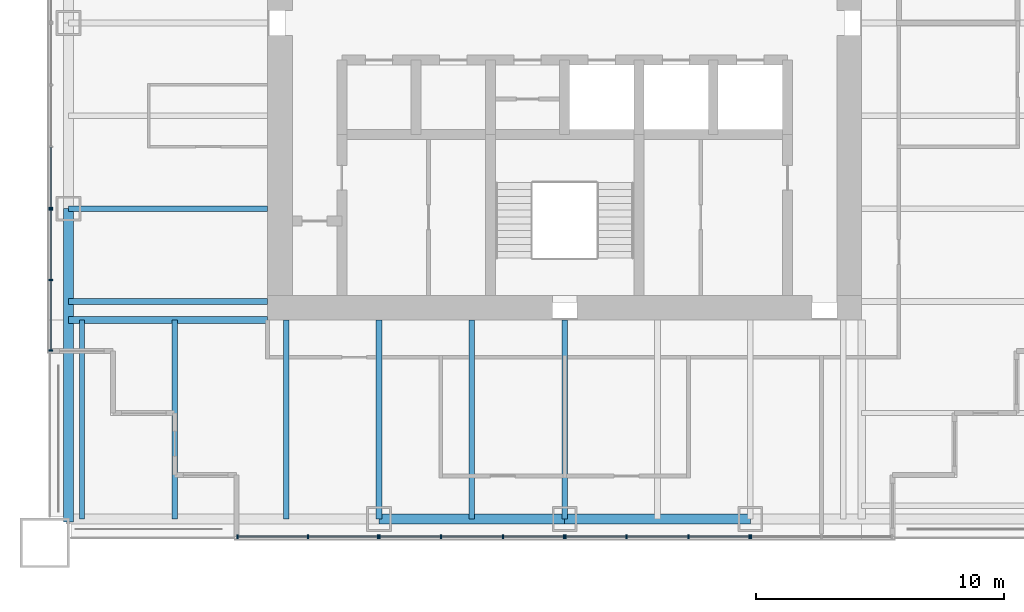
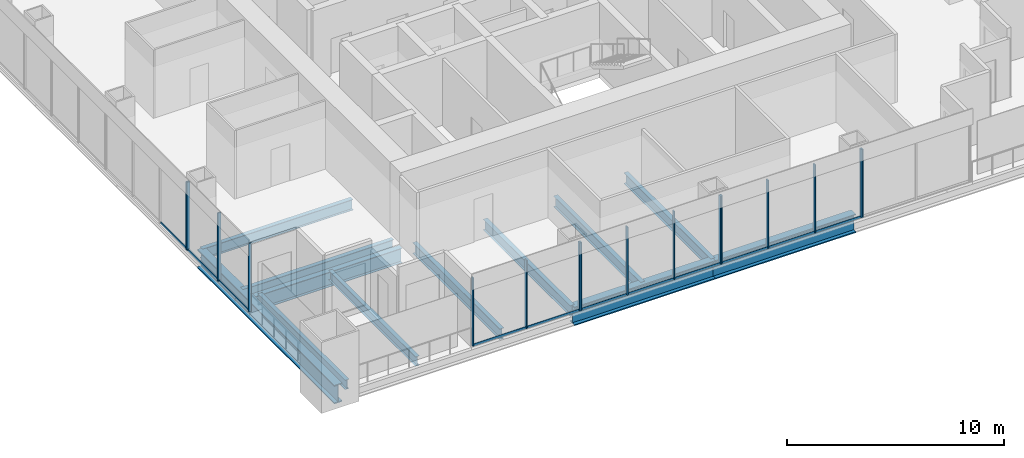
# One storey, part 2 of 14: 27 members, 12 beams, 6 elements without a shape of their own.
"""IFC4 building model written with IfcOpenShell, lengths in metres."""

from ifc_helpers import new_model, si_unit, direction, frame, origin, origin_2d, place, context, subcontext, project, spatial, rectangle, i_section, extrude, material, material_profile, profile_set, type_object, element, aggregate, save


model = new_model("IFC4")

# Units and contexts
model_context = context("Model", 3, precision=1e-05, world=origin(), true_north=direction((0.0, 1.0)))
body_context = subcontext(model_context, "Body", "Model", "MODEL_VIEW")
ifc_project = project(units=[si_unit("LENGTHUNIT", "METRE"), si_unit("AREAUNIT", "SQUARE_METRE"), si_unit("VOLUMEUNIT", "CUBIC_METRE"), si_unit("PLANEANGLEUNIT", "RADIAN"), si_unit("MASSUNIT", "GRAM", prefix="KILO")], contexts=[model_context])

# Site, building, storey
site_placement = place(None, origin())
site = spatial("IfcSite", under=ifc_project, at=site_placement, CompositionType="ELEMENT")
building_placement = place(site_placement, origin())
building = spatial("IfcBuilding", under=site, at=building_placement, Name="Tarangal Relay Tower", CompositionType="ELEMENT")
storey_placement = place(building_placement, frame((0.0, 0.0, 291.89990234375)))
storey = spatial("IfcBuildingStorey", under=building, at=storey_placement, Name="L64", CompositionType="ELEMENT", Elevation=291.89990234375)

# Beams
ifc_material_1 = material(Name="Steel ASTM A992", Category="steel")
ifc_material_profile_1 = material_profile(ifc_material_1, i_section(OverallWidth=0.209228515625, OverallDepth=0.533447265625, WebThickness=0.01025390625, FlangeThickness=0.015625, at=origin_2d()), Name="W21X62")
ifc_profile_set_1 = profile_set([ifc_material_profile_1], Name="Steel ASTM A992")
beam_type_1 = type_object("IfcBeamType", Name="Corner beam W21X62", PredefinedType="JOIST", material=ifc_profile_set_1)
for number, where, z_axis, x_axis, name in (
    (1, (-15.75, -12.0, -0.41650390625), (0.0, -1.0, 0.0), (1.0, 0.0, 0.0), "Corner beam CB12 S L64"),
    (2, (-19.5, -12.0, -0.41650390625), (0.0, -1.0, 0.0), (1.0, 0.0, 0.0), "Corner beam CB12 S L64"),
):
    element("IfcBeam", number, at=place(storey_placement, frame(where, z_axis=z_axis, x_axis=x_axis)), inside=storey, type_object=beam_type_1, Name=name, PredefinedType="JOIST", context=body_context, shape_type="SweptSolid", body=[
        extrude(i_section(OverallWidth=0.209228515625, OverallDepth=0.533447265625, WebThickness=0.01025390625, FlangeThickness=0.015625, at=origin_2d()), origin(), (0.0, 0.0, 1.0), 8.0400390625),
    ])
ifc_material_profile_2 = material_profile(ifc_material_1, i_section(OverallWidth=0.2919921875, OverallDepth=0.8408203125, WebThickness=0.0146484375, FlangeThickness=0.021728515625, at=origin_2d()), Name="W33X130")
ifc_profile_set_2 = profile_set([ifc_material_profile_2], Name="Steel ASTM A992")
beam_type_2 = type_object("IfcBeamType", Name="Corner girder W33X130", PredefinedType="BEAM", material=ifc_profile_set_2)
beam_1_placement = place(storey_placement, frame((-12.0, -12.0, -0.5703125), z_axis=(-1.0, 0.0, 0.0), x_axis=(0.0, -1.0, 0.0)))
element("IfcBeam", 3, at=beam_1_placement, inside=storey, type_object=beam_type_2, Name="Corner girder CG5 S L64", PredefinedType="BEAM", context=body_context, shape_type="SweptSolid", body=[
    extrude(i_section(OverallWidth=0.2919921875, OverallDepth=0.8408203125, WebThickness=0.0146484375, FlangeThickness=0.021728515625, at=origin_2d()), origin(), (0.0, 0.0, 1.0), 8.0400390625),
])
ifc_material_profile_3 = material_profile(ifc_material_1, i_section(OverallWidth=0.41162109375, OverallDepth=1.049072265625, WebThickness=0.033935546875, FlangeThickness=0.059814453125, at=origin_2d()), Name="W40X431")
ifc_profile_set_3 = profile_set([ifc_material_profile_3], Name="Steel ASTM A992")
beam_type_3 = type_object("IfcBeamType", Name="Edge girder W40X431", PredefinedType="SPANDREL", material=ifc_profile_set_3)
for number, where, z_axis, x_axis, name in (
    (4, (7.5, -20.0400390625, -0.67431640625), (-1.0, 0.0, 0.0), (0.0, -1.0, 0.0), "Edge girder EG1 S L64"),
    (5, (0.0, -20.0400390625, -0.67431640625), (-1.0, 0.0, 0.0), (0.0, -1.0, 0.0), "Edge girder EG1 S L64"),
):
    element("IfcBeam", number, at=place(storey_placement, frame(where, z_axis=z_axis, x_axis=x_axis)), inside=storey, type_object=beam_type_3, Name=name, PredefinedType="SPANDREL", context=body_context, shape_type="SweptSolid", body=[
        extrude(i_section(OverallWidth=0.41162109375, OverallDepth=1.049072265625, WebThickness=0.033935546875, FlangeThickness=0.059814453125, at=origin_2d()), origin(), (0.0, 0.0, 1.0), 7.5),
    ])
beam_2_placement = place(storey_placement, frame((-20.0400390625, -20.14990234375, -0.67431640625), z_axis=(0.0, 1.0, 0.0), x_axis=(-1.0, 0.0, 0.0)))
element("IfcBeam", 6, at=beam_2_placement, inside=storey, type_object=beam_type_3, Name="Edge girder EG1 W L64", PredefinedType="SPANDREL", context=body_context, shape_type="SweptSolid", body=[
    extrude(i_section(OverallWidth=0.41162109375, OverallDepth=1.049072265625, WebThickness=0.033935546875, FlangeThickness=0.059814453125, at=origin_2d()), origin(), (0.0, 0.0, 1.0), 12.64990234375),
])
ifc_material_profile_4 = material_profile(ifc_material_1, i_section(OverallWidth=0.228271484375, OverallDepth=0.607177734375, WebThickness=0.01123046875, FlangeThickness=0.017333984375, at=origin_2d()), Name="W24X76")
ifc_profile_set_4 = profile_set([ifc_material_profile_4], Name="Steel ASTM A992")
beam_type_4 = type_object("IfcBeamType", Name="Floor beam W24X76", PredefinedType="BEAM", material=ifc_profile_set_4)
for number, where, z_axis, x_axis, name in (
    (7, (0.0, -12.0, -0.453369140625), (0.0, -1.0, 0.0), (1.0, 0.0, 0.0), "Floor beam RB5 S L64"),
    (8, (-3.75, -12.0, -0.453369140625), (0.0, -1.0, 0.0), (1.0, 0.0, 0.0), "Floor beam RB5 S L64"),
    (9, (-7.5, -12.0, -0.453369140625), (0.0, -1.0, 0.0), (1.0, 0.0, 0.0), "Floor beam RB5 S L64"),
    (10, (-11.25, -12.0, -0.453369140625), (0.0, -1.0, 0.0), (1.0, 0.0, 0.0), "Floor beam RB5 S L64"),
    (11, (-12.0, -11.25, -0.453369140625), (-1.0, 0.0, 0.0), (0.0, -1.0, 0.0), "Floor beam RB5 W L64"),
    (12, (-12.0, -7.5, -0.453369140625), (-1.0, 0.0, 0.0), (0.0, -1.0, 0.0), "Floor beam RB5 W L64"),
):
    element("IfcBeam", number, at=place(storey_placement, frame(where, z_axis=z_axis, x_axis=x_axis)), inside=storey, type_object=beam_type_4, Name=name, PredefinedType="BEAM", context=body_context, shape_type="SweptSolid", body=[
        extrude(i_section(OverallWidth=0.228271484375, OverallDepth=0.607177734375, WebThickness=0.01123046875, FlangeThickness=0.017333984375, at=origin_2d()), origin(), (0.0, 0.0, 1.0), 8.0400390625),
    ])

# Curtain wall, member
ifc_material_2 = material(Name="Unitised curtain wall, dark glass and black aluminium", Category="aluminium")
curtain_wall_type = type_object("IfcCurtainWallType", Name="Curtain wall CW-B", PredefinedType="USERDEFINED", material=ifc_material_2)
curtain_wall_1_placement = place(storey_placement, origin())
curtain_wall_1 = element("IfcCurtainWall", 13, at=curtain_wall_1_placement, inside=storey, type_object=curtain_wall_type, Name="Curtain wall CW-B S facade L64", ObjectType="UNITISED CURTAIN WALL", PredefinedType="USERDEFINED")
ifc_material_3 = material(Name="Black anodised aluminium mullion", Category="aluminium")
ifc_material_profile_5 = material_profile(ifc_material_3, rectangle(XDim=0.159912109375, YDim=0.06005859375, at=origin_2d()), Name="CW-BM 60X160")
ifc_profile_set_5 = profile_set([ifc_material_profile_5], Name="Black anodised aluminium mullion")
member_type_1 = type_object("IfcMemberType", Name="Mullion CW-B 60 x 160", PredefinedType="MULLION", material=ifc_profile_set_5)
member_1_placement = place(storey_placement, frame((7.530029296875, -20.75, 0.0), z_axis=(0.0, 0.0, 1.0), x_axis=(0.0, -1.0, 0.0)))
member_1 = element("IfcMember", 14, at=member_1_placement, type_object=member_type_1, Name="CW-B mullion 3", PredefinedType="MULLION", context=body_context, shape_type="SweptSolid", body=[
    extrude(rectangle(XDim=0.159912109375, YDim=0.06005859375, at=origin_2d()), origin(), (0.0, 0.0, 1.0), 3.85009765625),
])
aggregate(curtain_wall_1, [member_1])

# Curtain wall, members
curtain_wall_2_placement = place(storey_placement, origin())
curtain_wall_2 = element("IfcCurtainWall", 15, at=curtain_wall_2_placement, inside=storey, type_object=curtain_wall_type, Name="Curtain wall CW-B S facade L64", ObjectType="UNITISED CURTAIN WALL", PredefinedType="USERDEFINED")
member_2_placement = place(storey_placement, frame((7.469970703125, -20.75, 0.0), z_axis=(0.0, 0.0, 1.0), x_axis=(0.0, -1.0, 0.0)))
member_2 = element("IfcMember", 16, at=member_2_placement, type_object=member_type_1, Name="CW-B mullion 1", PredefinedType="MULLION", context=body_context, shape_type="SweptSolid", body=[
    extrude(rectangle(XDim=0.159912109375, YDim=0.06005859375, at=origin_2d()), origin(), (0.0, 0.0, 1.0), 3.85009765625),
])
member_3_placement = place(storey_placement, frame((5.0, -20.75, 0.0), z_axis=(0.0, 0.0, 1.0), x_axis=(0.0, -1.0, 0.0)))
member_3 = element("IfcMember", 17, at=member_3_placement, type_object=member_type_1, Name="CW-B mullion 2", PredefinedType="MULLION", context=body_context, shape_type="SweptSolid", body=[
    extrude(rectangle(XDim=0.159912109375, YDim=0.06005859375, at=origin_2d()), origin(), (0.0, 0.0, 1.0), 3.85009765625),
])
member_4_placement = place(storey_placement, frame((2.5, -20.75, 0.0), z_axis=(0.0, 0.0, 1.0), x_axis=(0.0, -1.0, 0.0)))
member_4 = element("IfcMember", 18, at=member_4_placement, type_object=member_type_1, Name="CW-B mullion 3", PredefinedType="MULLION", context=body_context, shape_type="SweptSolid", body=[
    extrude(rectangle(XDim=0.159912109375, YDim=0.06005859375, at=origin_2d()), origin(), (0.0, 0.0, 1.0), 3.85009765625),
])
member_5_placement = place(storey_placement, frame((0.030029296875, -20.75, 0.0), z_axis=(0.0, 0.0, 1.0), x_axis=(0.0, -1.0, 0.0)))
member_5 = element("IfcMember", 19, at=member_5_placement, type_object=member_type_1, Name="CW-B mullion 4", PredefinedType="MULLION", context=body_context, shape_type="SweptSolid", body=[
    extrude(rectangle(XDim=0.159912109375, YDim=0.06005859375, at=origin_2d()), origin(), (0.0, 0.0, 1.0), 3.85009765625),
])

curtain_wall_3_placement = place(storey_placement, origin())
curtain_wall_3 = element("IfcCurtainWall", 20, at=curtain_wall_3_placement, inside=storey, type_object=curtain_wall_type, Name="Curtain wall CW-B S facade L64", ObjectType="UNITISED CURTAIN WALL", PredefinedType="USERDEFINED")
member_6_placement = place(storey_placement, frame((-0.030029296875, -20.75, 0.0), z_axis=(0.0, 0.0, 1.0), x_axis=(0.0, -1.0, 0.0)))
member_6 = element("IfcMember", 21, at=member_6_placement, type_object=member_type_1, Name="CW-B mullion 1", PredefinedType="MULLION", context=body_context, shape_type="SweptSolid", body=[
    extrude(rectangle(XDim=0.159912109375, YDim=0.06005859375, at=origin_2d()), origin(), (0.0, 0.0, 1.0), 3.85009765625),
])
member_7_placement = place(storey_placement, frame((-2.5, -20.75, 0.0), z_axis=(0.0, 0.0, 1.0), x_axis=(0.0, -1.0, 0.0)))
member_7 = element("IfcMember", 22, at=member_7_placement, type_object=member_type_1, Name="CW-B mullion 2", PredefinedType="MULLION", context=body_context, shape_type="SweptSolid", body=[
    extrude(rectangle(XDim=0.159912109375, YDim=0.06005859375, at=origin_2d()), origin(), (0.0, 0.0, 1.0), 3.85009765625),
])
member_8_placement = place(storey_placement, frame((-5.0, -20.75, 0.0), z_axis=(0.0, 0.0, 1.0), x_axis=(0.0, -1.0, 0.0)))
member_8 = element("IfcMember", 23, at=member_8_placement, type_object=member_type_1, Name="CW-B mullion 3", PredefinedType="MULLION", context=body_context, shape_type="SweptSolid", body=[
    extrude(rectangle(XDim=0.159912109375, YDim=0.06005859375, at=origin_2d()), origin(), (0.0, 0.0, 1.0), 3.85009765625),
])
member_9_placement = place(storey_placement, frame((-7.469970703125, -20.75, 0.0), z_axis=(0.0, 0.0, 1.0), x_axis=(0.0, -1.0, 0.0)))
member_9 = element("IfcMember", 24, at=member_9_placement, type_object=member_type_1, Name="CW-B mullion 4", PredefinedType="MULLION", context=body_context, shape_type="SweptSolid", body=[
    extrude(rectangle(XDim=0.159912109375, YDim=0.06005859375, at=origin_2d()), origin(), (0.0, 0.0, 1.0), 3.85009765625),
])

curtain_wall_4_placement = place(storey_placement, origin())
curtain_wall_4 = element("IfcCurtainWall", 25, at=curtain_wall_4_placement, inside=storey, type_object=curtain_wall_type, Name="Curtain wall CW-B S facade L64", ObjectType="UNITISED CURTAIN WALL", PredefinedType="USERDEFINED")
member_10_placement = place(storey_placement, frame((-7.530029296875, -20.75, 0.0), z_axis=(0.0, 0.0, 1.0), x_axis=(0.0, -1.0, 0.0)))
member_10 = element("IfcMember", 26, at=member_10_placement, type_object=member_type_1, Name="CW-B mullion 1", PredefinedType="MULLION", context=body_context, shape_type="SweptSolid", body=[
    extrude(rectangle(XDim=0.159912109375, YDim=0.06005859375, at=origin_2d()), origin(), (0.0, 0.0, 1.0), 3.85009765625),
])
member_11_placement = place(storey_placement, frame((-10.375, -20.75, 0.0), z_axis=(0.0, 0.0, 1.0), x_axis=(0.0, -1.0, 0.0)))
member_11 = element("IfcMember", 27, at=member_11_placement, type_object=member_type_1, Name="CW-B mullion 2", PredefinedType="MULLION", context=body_context, shape_type="SweptSolid", body=[
    extrude(rectangle(XDim=0.159912109375, YDim=0.06005859375, at=origin_2d()), origin(), (0.0, 0.0, 1.0), 3.85009765625),
])
member_12_placement = place(storey_placement, frame((-13.219970703125, -20.75, 0.0), z_axis=(0.0, 0.0, 1.0), x_axis=(0.0, -1.0, 0.0)))
member_12 = element("IfcMember", 28, at=member_12_placement, type_object=member_type_1, Name="CW-B mullion 3", PredefinedType="MULLION", context=body_context, shape_type="SweptSolid", body=[
    extrude(rectangle(XDim=0.159912109375, YDim=0.06005859375, at=origin_2d()), origin(), (0.0, 0.0, 1.0), 3.85009765625),
])

curtain_wall_5_placement = place(storey_placement, origin())
curtain_wall_5 = element("IfcCurtainWall", 29, at=curtain_wall_5_placement, inside=storey, type_object=curtain_wall_type, Name="Curtain wall CW-B W facade L64", ObjectType="UNITISED CURTAIN WALL", PredefinedType="USERDEFINED")
member_13_placement = place(storey_placement, frame((-20.75, -13.219970703125, 0.0), z_axis=(0.0, 0.0, 1.0), x_axis=(-1.0, 0.0, 0.0)))
member_13 = element("IfcMember", 30, at=member_13_placement, type_object=member_type_1, Name="CW-B mullion 1", PredefinedType="MULLION", context=body_context, shape_type="SweptSolid", body=[
    extrude(rectangle(XDim=0.159912109375, YDim=0.06005859375, at=origin_2d()), origin(), (0.0, 0.0, 1.0), 3.85009765625),
])
member_14_placement = place(storey_placement, frame((-20.75, -10.375, 0.0), z_axis=(0.0, 0.0, 1.0), x_axis=(-1.0, 0.0, 0.0)))
member_14 = element("IfcMember", 31, at=member_14_placement, type_object=member_type_1, Name="CW-B mullion 2", PredefinedType="MULLION", context=body_context, shape_type="SweptSolid", body=[
    extrude(rectangle(XDim=0.159912109375, YDim=0.06005859375, at=origin_2d()), origin(), (0.0, 0.0, 1.0), 3.85009765625),
])
member_15_placement = place(storey_placement, frame((-20.75, -7.530029296875, 0.0), z_axis=(0.0, 0.0, 1.0), x_axis=(-1.0, 0.0, 0.0)))
member_15 = element("IfcMember", 32, at=member_15_placement, type_object=member_type_1, Name="CW-B mullion 3", PredefinedType="MULLION", context=body_context, shape_type="SweptSolid", body=[
    extrude(rectangle(XDim=0.159912109375, YDim=0.06005859375, at=origin_2d()), origin(), (0.0, 0.0, 1.0), 3.85009765625),
])

# Curtain wall, member
curtain_wall_6_placement = place(storey_placement, origin())
curtain_wall_6 = element("IfcCurtainWall", 33, at=curtain_wall_6_placement, inside=storey, type_object=curtain_wall_type, Name="Curtain wall CW-B W facade L64", ObjectType="UNITISED CURTAIN WALL", PredefinedType="USERDEFINED")
member_16_placement = place(storey_placement, frame((-20.75, -7.469970703125, 0.0), z_axis=(0.0, 0.0, 1.0), x_axis=(-1.0, 0.0, 0.0)))
member_16 = element("IfcMember", 34, at=member_16_placement, type_object=member_type_1, Name="CW-B mullion 1", PredefinedType="MULLION", context=body_context, shape_type="SweptSolid", body=[
    extrude(rectangle(XDim=0.159912109375, YDim=0.06005859375, at=origin_2d()), origin(), (0.0, 0.0, 1.0), 3.85009765625),
])

# Member
ifc_material_4 = material(Name="Black anodised aluminium transom", Category="aluminium")
ifc_material_profile_6 = material_profile(ifc_material_4, rectangle(XDim=0.06005859375, YDim=0.1298828125, at=origin_2d()), Name="CW-BT 60X130")
ifc_profile_set_6 = profile_set([ifc_material_profile_6], Name="Black anodised aluminium transom")
member_type_2 = type_object("IfcMemberType", Name="Transom CW-B 60 x 130", PredefinedType="USERDEFINED", material=ifc_profile_set_6)
member_17_placement = place(storey_placement, frame((7.43994140625, -20.75, 0.030029296875), z_axis=(-1.0, 0.0, 0.0), x_axis=(0.0, -1.0, 0.0)))
member_17 = element("IfcMember", 35, at=member_17_placement, type_object=member_type_2, Name="CW-B transom 1.1", ObjectType="TRANSOM", PredefinedType="USERDEFINED", context=body_context, shape_type="SweptSolid", body=[
    extrude(rectangle(XDim=0.06005859375, YDim=0.1298828125, at=origin_2d()), origin(), (0.0, 0.0, 1.0), 2.409912109375),
])

member_18_placement = place(storey_placement, frame((4.969970703125, -20.75, 0.030029296875), z_axis=(-1.0, 0.0, 0.0), x_axis=(0.0, -1.0, 0.0)))
member_18 = element("IfcMember", 36, at=member_18_placement, type_object=member_type_2, Name="CW-B transom 2.1", ObjectType="TRANSOM", PredefinedType="USERDEFINED", context=body_context, shape_type="SweptSolid", body=[
    extrude(rectangle(XDim=0.06005859375, YDim=0.1298828125, at=origin_2d()), origin(), (0.0, 0.0, 1.0), 2.43994140625),
])

member_19_placement = place(storey_placement, frame((2.469970703125, -20.75, 0.030029296875), z_axis=(-1.0, 0.0, 0.0), x_axis=(0.0, -1.0, 0.0)))
member_19 = element("IfcMember", 37, at=member_19_placement, type_object=member_type_2, Name="CW-B transom 3.1", ObjectType="TRANSOM", PredefinedType="USERDEFINED", context=body_context, shape_type="SweptSolid", body=[
    extrude(rectangle(XDim=0.06005859375, YDim=0.1298828125, at=origin_2d()), origin(), (0.0, 0.0, 1.0), 2.409912109375),
])

aggregate(curtain_wall_2, [member_2, member_3, member_4, member_5, member_17, member_18, member_19])

member_20_placement = place(storey_placement, frame((-0.06005859375, -20.75, 0.030029296875), z_axis=(-1.0, 0.0, 0.0), x_axis=(0.0, -1.0, 0.0)))
member_20 = element("IfcMember", 38, at=member_20_placement, type_object=member_type_2, Name="CW-B transom 1.1", ObjectType="TRANSOM", PredefinedType="USERDEFINED", context=body_context, shape_type="SweptSolid", body=[
    extrude(rectangle(XDim=0.06005859375, YDim=0.1298828125, at=origin_2d()), origin(), (0.0, 0.0, 1.0), 2.409912109375),
])

member_21_placement = place(storey_placement, frame((-2.530029296875, -20.75, 0.030029296875), z_axis=(-1.0, 0.0, 0.0), x_axis=(0.0, -1.0, 0.0)))
member_21 = element("IfcMember", 39, at=member_21_placement, type_object=member_type_2, Name="CW-B transom 2.1", ObjectType="TRANSOM", PredefinedType="USERDEFINED", context=body_context, shape_type="SweptSolid", body=[
    extrude(rectangle(XDim=0.06005859375, YDim=0.1298828125, at=origin_2d()), origin(), (0.0, 0.0, 1.0), 2.43994140625),
])

member_22_placement = place(storey_placement, frame((-5.030029296875, -20.75, 0.030029296875), z_axis=(-1.0, 0.0, 0.0), x_axis=(0.0, -1.0, 0.0)))
member_22 = element("IfcMember", 40, at=member_22_placement, type_object=member_type_2, Name="CW-B transom 3.1", ObjectType="TRANSOM", PredefinedType="USERDEFINED", context=body_context, shape_type="SweptSolid", body=[
    extrude(rectangle(XDim=0.06005859375, YDim=0.1298828125, at=origin_2d()), origin(), (0.0, 0.0, 1.0), 2.409912109375),
])

aggregate(curtain_wall_3, [member_6, member_7, member_8, member_9, member_20, member_21, member_22])

member_23_placement = place(storey_placement, frame((-7.56005859375, -20.75, 0.030029296875), z_axis=(-1.0, 0.0, 0.0), x_axis=(0.0, -1.0, 0.0)))
member_23 = element("IfcMember", 41, at=member_23_placement, type_object=member_type_2, Name="CW-B transom 1.1", ObjectType="TRANSOM", PredefinedType="USERDEFINED", context=body_context, shape_type="SweptSolid", body=[
    extrude(rectangle(XDim=0.06005859375, YDim=0.1298828125, at=origin_2d()), origin(), (0.0, 0.0, 1.0), 2.784912109375),
])

member_24_placement = place(storey_placement, frame((-10.405029296875, -20.75, 0.030029296875), z_axis=(-1.0, 0.0, 0.0), x_axis=(0.0, -1.0, 0.0)))
member_24 = element("IfcMember", 42, at=member_24_placement, type_object=member_type_2, Name="CW-B transom 2.1", ObjectType="TRANSOM", PredefinedType="USERDEFINED", context=body_context, shape_type="SweptSolid", body=[
    extrude(rectangle(XDim=0.06005859375, YDim=0.1298828125, at=origin_2d()), origin(), (0.0, 0.0, 1.0), 2.784912109375),
])

aggregate(curtain_wall_4, [member_10, member_11, member_12, member_23, member_24])

member_25_placement = place(storey_placement, frame((-20.75, -13.18994140625, 0.030029296875), z_axis=(0.0, 1.0, 0.0), x_axis=(-1.0, 0.0, 0.0)))
member_25 = element("IfcMember", 43, at=member_25_placement, type_object=member_type_2, Name="CW-B transom 1.1", ObjectType="TRANSOM", PredefinedType="USERDEFINED", context=body_context, shape_type="SweptSolid", body=[
    extrude(rectangle(XDim=0.06005859375, YDim=0.1298828125, at=origin_2d()), origin(), (0.0, 0.0, 1.0), 2.784912109375),
])

member_26_placement = place(storey_placement, frame((-20.75, -10.344970703125, 0.030029296875), z_axis=(0.0, 1.0, 0.0), x_axis=(-1.0, 0.0, 0.0)))
member_26 = element("IfcMember", 44, at=member_26_placement, type_object=member_type_2, Name="CW-B transom 2.1", ObjectType="TRANSOM", PredefinedType="USERDEFINED", context=body_context, shape_type="SweptSolid", body=[
    extrude(rectangle(XDim=0.06005859375, YDim=0.1298828125, at=origin_2d()), origin(), (0.0, 0.0, 1.0), 2.784912109375),
])

aggregate(curtain_wall_5, [member_13, member_14, member_15, member_25, member_26])

member_27_placement = place(storey_placement, frame((-20.75, -7.43994140625, 0.030029296875), z_axis=(0.0, 1.0, 0.0), x_axis=(-1.0, 0.0, 0.0)))
member_27 = element("IfcMember", 45, at=member_27_placement, type_object=member_type_2, Name="CW-B transom 1.1", ObjectType="TRANSOM", PredefinedType="USERDEFINED", context=body_context, shape_type="SweptSolid", body=[
    extrude(rectangle(XDim=0.06005859375, YDim=0.1298828125, at=origin_2d()), origin(), (0.0, 0.0, 1.0), 2.409912109375),
])

aggregate(curtain_wall_6, [member_16, member_27])

save(model, "model.ifc")
